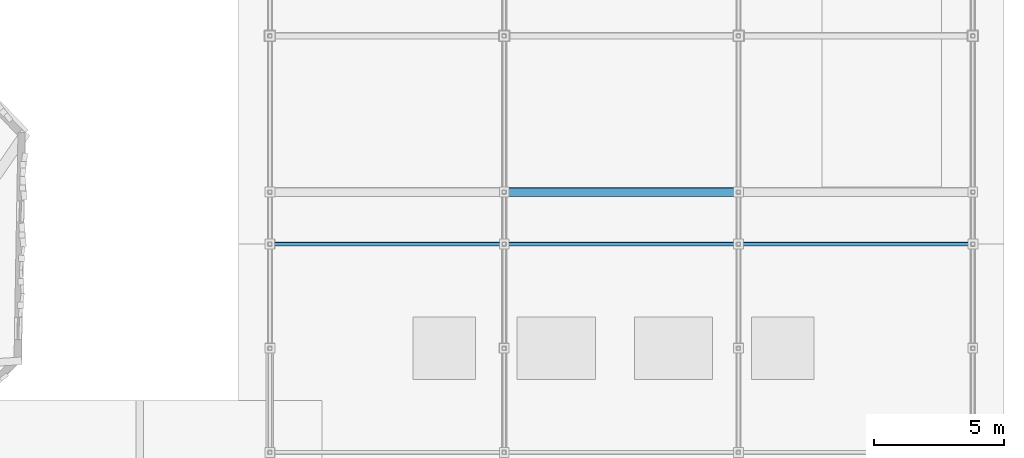
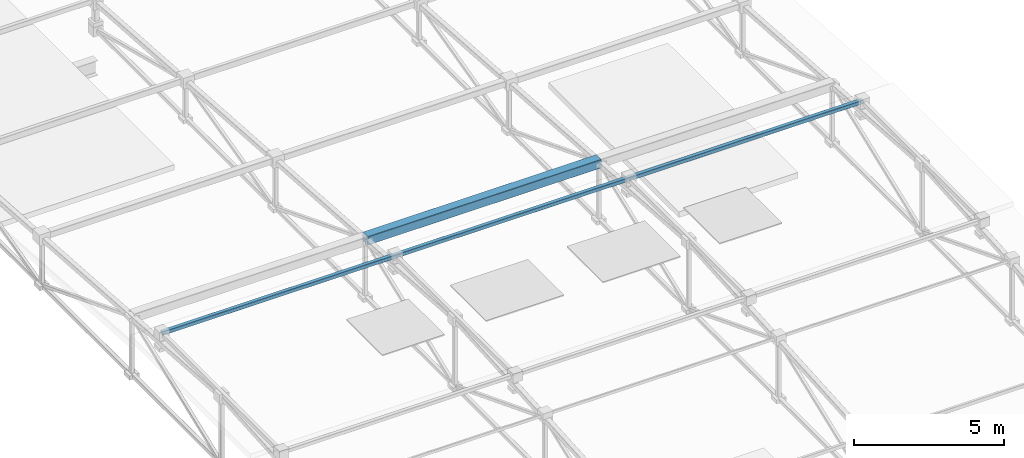
# One storey, part 29 of 85: 1 beam, 1 member.
"""IFC4 building model written with IfcOpenShell, lengths in metres."""

from ifc_helpers import new_model, si_unit, direction, frame, origin, origin_2d, place, context, subcontext, project, spatial, hollow_rectangle, extrude, material, material_profile, profile_set, type_object, element, save


model = new_model("IFC4")

# Units and contexts
model_context = context("Model", 3, precision=1e-05, world=origin(), true_north=direction((0.0, 1.0)))
body_context = subcontext(model_context, "Body", "Model", "MODEL_VIEW")
ifc_project = project(units=[si_unit("LENGTHUNIT", "METRE"), si_unit("AREAUNIT", "SQUARE_METRE"), si_unit("VOLUMEUNIT", "CUBIC_METRE"), si_unit("PLANEANGLEUNIT", "RADIAN"), si_unit("MASSUNIT", "GRAM", prefix="KILO"), si_unit("THERMODYNAMICTEMPERATUREUNIT", "KELVIN"), si_unit("POWERUNIT", "WATT")], contexts=[model_context])

# Site, building, storey
site_placement = place(None, origin())
site = spatial("IfcSite", under=ifc_project, at=site_placement, CompositionType="ELEMENT")
building_placement = place(site_placement, origin())
building = spatial("IfcBuilding", under=site, at=building_placement, Name="Zelmaris Science Centre", CompositionType="ELEMENT")
storey_placement = place(building_placement, frame((0.0, 0.0, 20.39990234375)))
storey = spatial("IfcBuildingStorey", under=building, at=storey_placement, Name="L04", CompositionType="ELEMENT", Elevation=20.39990234375)

# Beam
ifc_material = material(Name="Steel ASTM A500 Grade C", Category="steel")
ifc_material_profile_1 = material_profile(ifc_material, hollow_rectangle(XDim=0.15234375, YDim=0.15234375, WallThickness=0.0087890625, InnerFilletRadius=0.0087890625, OuterFilletRadius=0.017822265625, at=origin_2d()), Name="HSS152X152X10")
ifc_profile_set_1 = profile_set([ifc_material_profile_1], Name="Steel ASTM A500 Grade C")
beam_type = type_object("IfcBeamType", Name="Beam G-21 HSS152X152X10", PredefinedType="BEAM", material=ifc_profile_set_1)
beam_placement = place(storey_placement, frame((108.0, 36.0, 3.830078125), z_axis=(1.0, 0.0, 0.0), x_axis=(0.0, 1.0, 0.0)))
element("IfcBeam", 1, at=beam_placement, inside=storey, type_object=beam_type, Name="RF-V4 Lantern curb beam N", PredefinedType="BEAM", context=body_context, shape_type="SweptSolid", body=[
    extrude(hollow_rectangle(XDim=0.15234375, YDim=0.15234375, WallThickness=0.0087890625, InnerFilletRadius=0.0087890625, OuterFilletRadius=0.017822265625, at=origin_2d()), origin(), (0.0, 0.0, 1.0), 27.0),
])

# Member
ifc_material_profile_2 = material_profile(ifc_material, hollow_rectangle(XDim=0.355712890625, YDim=0.355712890625, WallThickness=0.0146484375, InnerFilletRadius=0.0146484375, OuterFilletRadius=0.029296875, at=origin_2d()), Name="HSS356X356X16")
ifc_profile_set_2 = profile_set([ifc_material_profile_2], Name="Steel ASTM A500 Grade C")
member_type = type_object("IfcMemberType", Name="Roof Purlin PR-08 HSS356X356X16", PredefinedType="PURLIN", material=ifc_profile_set_2)
member_placement = place(storey_placement, frame((117.0, 38.0, 3.30419921875), z_axis=(1.0, 0.0, 0.0), x_axis=(0.0, 1.0, 0.0)))
element("IfcMember", 2, at=member_placement, inside=storey, type_object=member_type, Name="RF-V4 Roof purlin 13", PredefinedType="PURLIN", context=body_context, shape_type="SweptSolid", body=[
    extrude(hollow_rectangle(XDim=0.355712890625, YDim=0.355712890625, WallThickness=0.0146484375, InnerFilletRadius=0.0146484375, OuterFilletRadius=0.029296875, at=origin_2d()), origin(), (0.0, 0.0, 1.0), 9.0),
])

save(model, "model.ifc")
